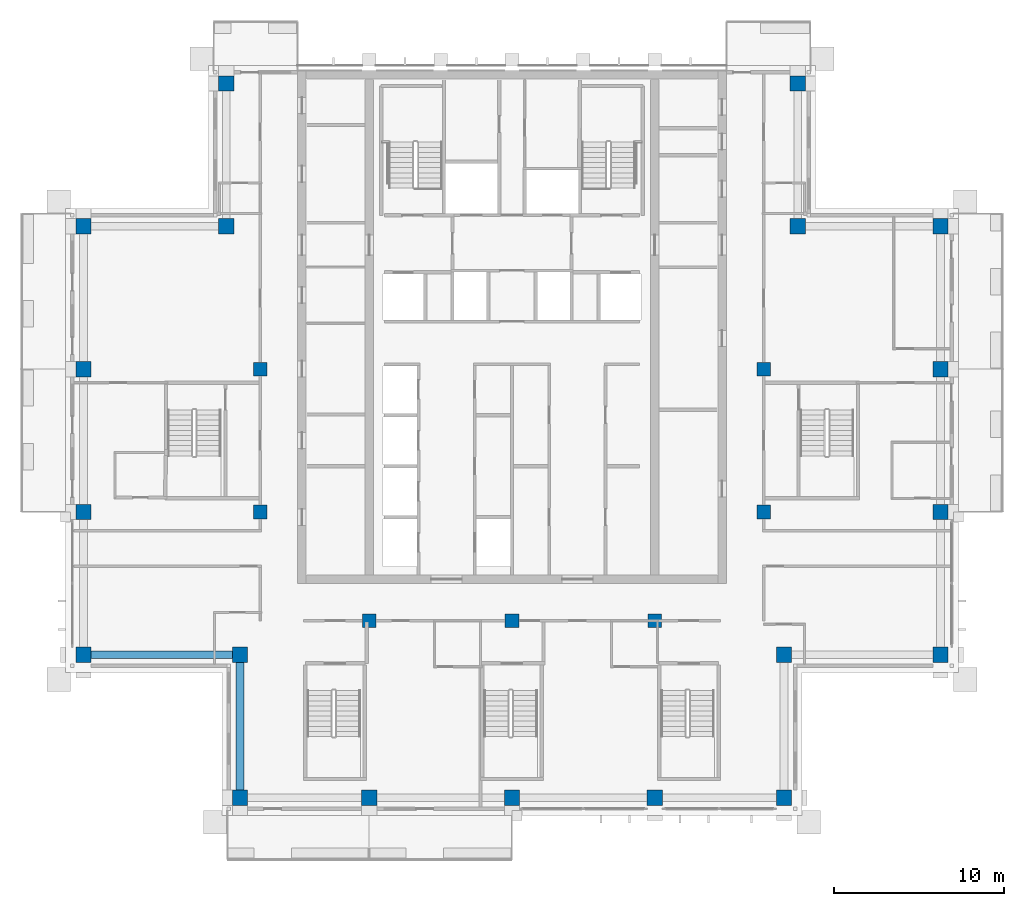
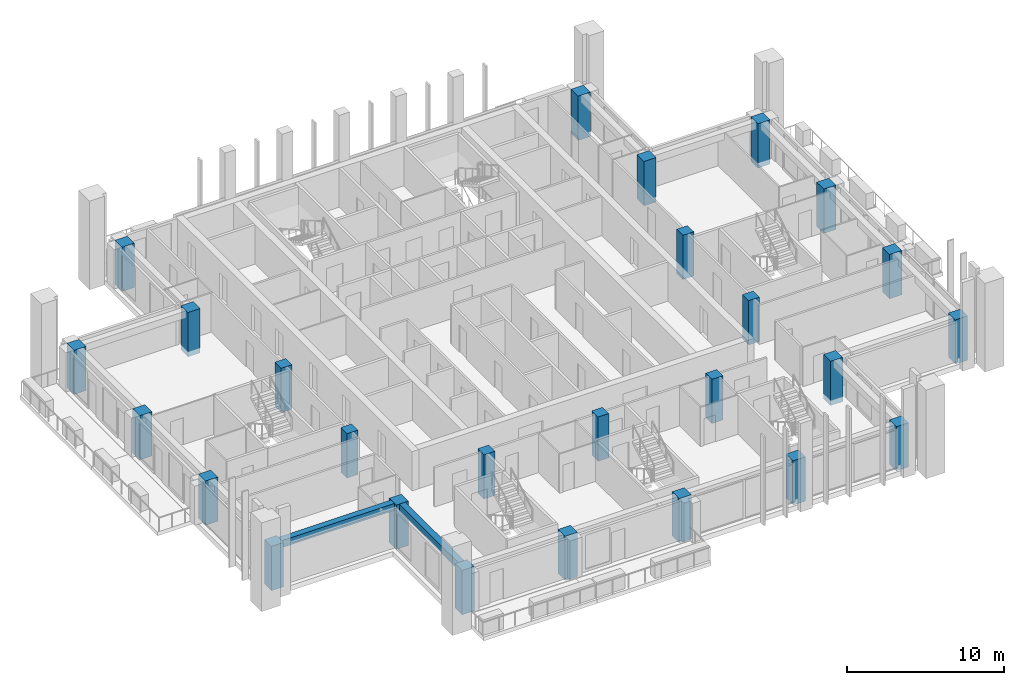
# One storey, part 1 of 16: 26 columns, 2 beams.
"""IFC4 building model written with IfcOpenShell, lengths in metres."""

from ifc_helpers import new_model, si_unit, direction, frame, origin, origin_2d, place, context, subcontext, project, spatial, rectangle, extrude, material, material_profile, profile_set, type_object, element, save


model = new_model("IFC4")

# Units and contexts
model_context = context("Model", 3, precision=1e-05, world=origin(), true_north=direction((0.0, 1.0)))
body_context = subcontext(model_context, "Body", "Model", "MODEL_VIEW")
ifc_project = project(units=[si_unit("LENGTHUNIT", "METRE"), si_unit("AREAUNIT", "SQUARE_METRE"), si_unit("VOLUMEUNIT", "CUBIC_METRE"), si_unit("PLANEANGLEUNIT", "RADIAN"), si_unit("MASSUNIT", "GRAM", prefix="KILO")], contexts=[model_context])

# Site, building, storey
site_placement = place(None, origin())
site = spatial("IfcSite", under=ifc_project, at=site_placement, CompositionType="ELEMENT")
building_placement = place(site_placement, origin())
building = spatial("IfcBuilding", under=site, at=building_placement, Name="Vermilion Ogive Tower", CompositionType="ELEMENT")
storey_placement = place(building_placement, frame((0.0, 0.0, 247.60009765625)))
storey = spatial("IfcBuildingStorey", under=building, at=storey_placement, Name="L65", CompositionType="ELEMENT", Elevation=247.60009765625)

# Columns
ifc_material_1 = material(Name="Concrete B60", Category="concrete")
ifc_material_profile_1 = material_profile(ifc_material_1, rectangle(XDim=0.89990234375, YDim=0.89990234375, at=origin_2d()), Name="900 x 900")
ifc_profile_set_1 = profile_set([ifc_material_profile_1], Name="Concrete B60")
column_type_1 = type_object("IfcColumnType", Name="Perimeter column 900 x 900 B60", PredefinedType="COLUMN", material=ifc_profile_set_1)
for number, where, z_axis, x_axis, name in (
    (1, (-16.0, -21.0, -0.400146484375), (0.0, 0.0, 1.0), (1.0, 0.0, 0.0), "COL-L65-P-0160-210"),
    (2, (-8.39990234375, -21.0, -0.400146484375), (0.0, 0.0, 1.0), (1.0, 0.0, 0.0), "COL-L65-P-0084-210"),
    (3, (0.0, -21.0, -0.400146484375), (0.0, 0.0, 1.0), (1.0, 0.0, 0.0), "COL-L65-P+0000-210"),
    (4, (8.39990234375, -21.0, -0.400146484375), (0.0, 0.0, 1.0), (1.0, 0.0, 0.0), "COL-L65-P+0084-210"),
    (5, (16.0, -21.0, -0.400146484375), (0.0, 0.0, 1.0), (1.0, 0.0, 0.0), "COL-L65-P+0160-210"),
    (6, (-25.199951171875, -12.60009765625, -0.400146484375), (0.0, 0.0, 1.0), (1.0, 0.0, 0.0), "COL-L65-P-0252-126"),
    (7, (-16.0, -12.60009765625, -0.400146484375), (0.0, 0.0, 1.0), (1.0, 0.0, 0.0), "COL-L65-P-0160-126"),
    (8, (16.0, -12.60009765625, -0.400146484375), (0.0, 0.0, 1.0), (1.0, 0.0, 0.0), "COL-L65-P+0160-126"),
    (9, (25.199951171875, -12.60009765625, -0.400146484375), (0.0, 0.0, 1.0), (1.0, 0.0, 0.0), "COL-L65-P+0252-126"),
    (10, (-25.199951171875, -4.199951171875, -0.400146484375), (0.0, 0.0, 1.0), (1.0, 0.0, 0.0), "COL-L65-P-0252-042"),
    (11, (25.199951171875, -4.199951171875, -0.400146484375), (0.0, 0.0, 1.0), (1.0, 0.0, 0.0), "COL-L65-P+0252-042"),
    (12, (-25.199951171875, 4.199951171875, -0.400146484375), (0.0, 0.0, 1.0), (1.0, 0.0, 0.0), "COL-L65-P-0252+042"),
    (13, (25.199951171875, 4.199951171875, -0.400146484375), (0.0, 0.0, 1.0), (1.0, 0.0, 0.0), "COL-L65-P+0252+042"),
    (14, (-25.199951171875, 12.60009765625, -0.400146484375), (0.0, 0.0, 1.0), (1.0, 0.0, 0.0), "COL-L65-P-0252+126"),
    (15, (-16.800048828125, 12.60009765625, -0.400146484375), (0.0, 0.0, 1.0), (1.0, 0.0, 0.0), "COL-L65-P-0168+126"),
    (16, (16.800048828125, 12.60009765625, -0.400146484375), (0.0, 0.0, 1.0), (1.0, 0.0, 0.0), "COL-L65-P+0168+126"),
    (17, (25.199951171875, 12.60009765625, -0.400146484375), (0.0, 0.0, 1.0), (1.0, 0.0, 0.0), "COL-L65-P+0252+126"),
    (18, (-16.800048828125, 21.0, -0.400146484375), (0.0, 0.0, 1.0), (1.0, 0.0, 0.0), "COL-L65-P-0168+210"),
    (19, (16.800048828125, 21.0, -0.400146484375), (0.0, 0.0, 1.0), (1.0, 0.0, 0.0), "COL-L65-P+0168+210"),
):
    element("IfcColumn", number, at=place(storey_placement, frame(where, z_axis=z_axis, x_axis=x_axis)), inside=storey, type_object=column_type_1, Name=name, PredefinedType="COLUMN", context=body_context, shape_type="SweptSolid", body=[
        extrude(rectangle(XDim=0.89990234375, YDim=0.89990234375, at=origin_2d()), origin(), (0.0, 0.0, 1.0), 3.449951171875),
    ])
ifc_material_2 = material(Name="Concrete B60", Category="concrete")
ifc_material_profile_2 = material_profile(ifc_material_2, rectangle(XDim=0.800048828125, YDim=0.800048828125, at=origin_2d()), Name="800 x 800")
ifc_profile_set_2 = profile_set([ifc_material_profile_2], Name="Concrete B60")
column_type_2 = type_object("IfcColumnType", Name="Ring column 800 x 800 B60", PredefinedType="COLUMN", material=ifc_profile_set_2)
for number, where, z_axis, x_axis, name in (
    (20, (-8.39990234375, -10.60009765625, -0.400146484375), (0.0, 0.0, 1.0), (1.0, 0.0, 0.0), "COL-L65-R-0084-106"),
    (21, (0.0, -10.60009765625, -0.400146484375), (0.0, 0.0, 1.0), (1.0, 0.0, 0.0), "COL-L65-R+0000-106"),
    (22, (8.39990234375, -10.60009765625, -0.400146484375), (0.0, 0.0, 1.0), (1.0, 0.0, 0.0), "COL-L65-R+0084-106"),
    (23, (-14.800048828125, -4.199951171875, -0.400146484375), (0.0, 0.0, 1.0), (1.0, 0.0, 0.0), "COL-L65-R-0148-042"),
    (24, (14.800048828125, -4.199951171875, -0.400146484375), (0.0, 0.0, 1.0), (1.0, 0.0, 0.0), "COL-L65-R+0148-042"),
    (25, (-14.800048828125, 4.199951171875, -0.400146484375), (0.0, 0.0, 1.0), (1.0, 0.0, 0.0), "COL-L65-R-0148+042"),
    (26, (14.800048828125, 4.199951171875, -0.400146484375), (0.0, 0.0, 1.0), (1.0, 0.0, 0.0), "COL-L65-R+0148+042"),
):
    element("IfcColumn", number, at=place(storey_placement, frame(where, z_axis=z_axis, x_axis=x_axis)), inside=storey, type_object=column_type_2, Name=name, PredefinedType="COLUMN", context=body_context, shape_type="SweptSolid", body=[
        extrude(rectangle(XDim=0.800048828125, YDim=0.800048828125, at=origin_2d()), origin(), (0.0, 0.0, 1.0), 3.449951171875),
    ])

# Beams
ifc_material_3 = material(Name="Concrete B45", Category="concrete")
ifc_material_profile_3 = material_profile(ifc_material_3, rectangle(XDim=0.449951171875, YDim=0.550048828125, at=origin_2d()), Name="450 x 550")
ifc_profile_set_3 = profile_set([ifc_material_profile_3], Name="Concrete B45")
beam_type = type_object("IfcBeamType", Name="Edge beam 450 x 550 B45", PredefinedType="BEAM", material=ifc_profile_set_3)
beam_1_placement = place(storey_placement, frame((-24.75, -12.60009765625, 2.77490234375), z_axis=(1.0, 0.0, 0.0), x_axis=(0.0, 1.0, 0.0)))
element("IfcBeam", 27, at=beam_1_placement, inside=storey, type_object=beam_type, Name="L65-EB-17", PredefinedType="BEAM", context=body_context, shape_type="SweptSolid", body=[
    extrude(rectangle(XDim=0.449951171875, YDim=0.550048828125, at=origin_2d()), origin(), (0.0, 0.0, 1.0), 8.300048828125),
])
beam_2_placement = place(storey_placement, frame((-16.0, -13.050048828125, 2.77490234375), z_axis=(0.0, -1.0, 0.0), x_axis=(1.0, 0.0, 0.0)))
element("IfcBeam", 28, at=beam_2_placement, inside=storey, type_object=beam_type, Name="L65-EB-18", PredefinedType="BEAM", context=body_context, shape_type="SweptSolid", body=[
    extrude(rectangle(XDim=0.449951171875, YDim=0.550048828125, at=origin_2d()), origin(), (0.0, 0.0, 1.0), 7.5),
])

save(model, "model.ifc")
